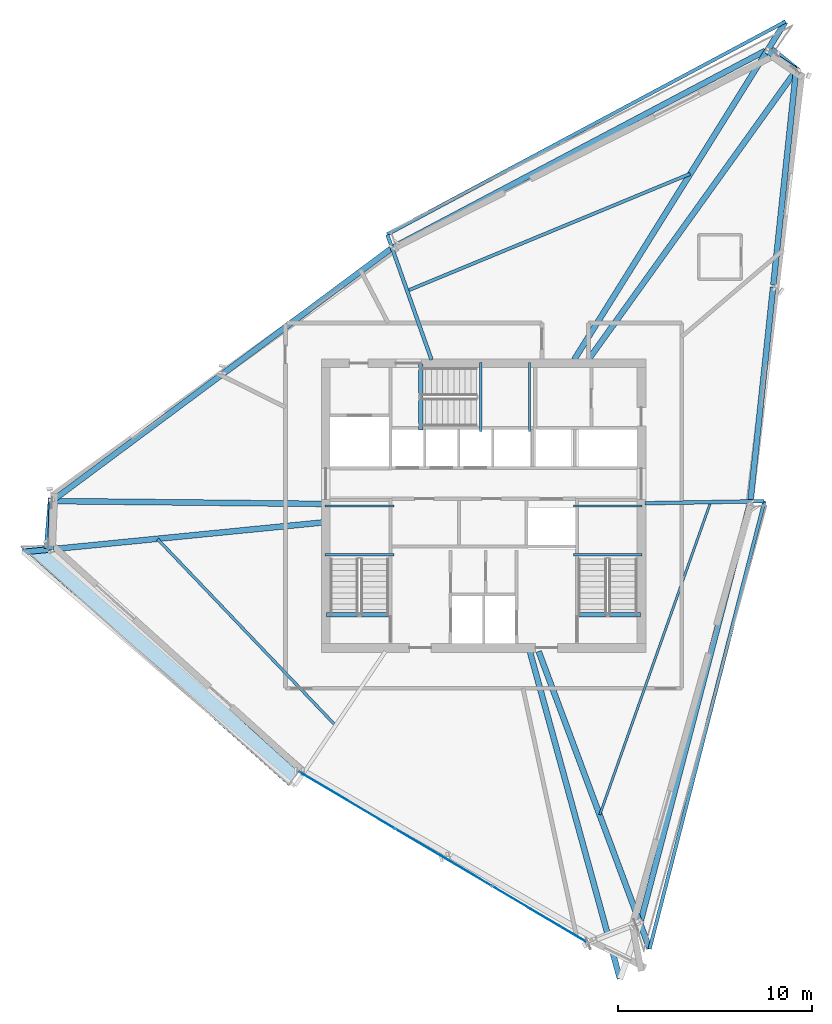
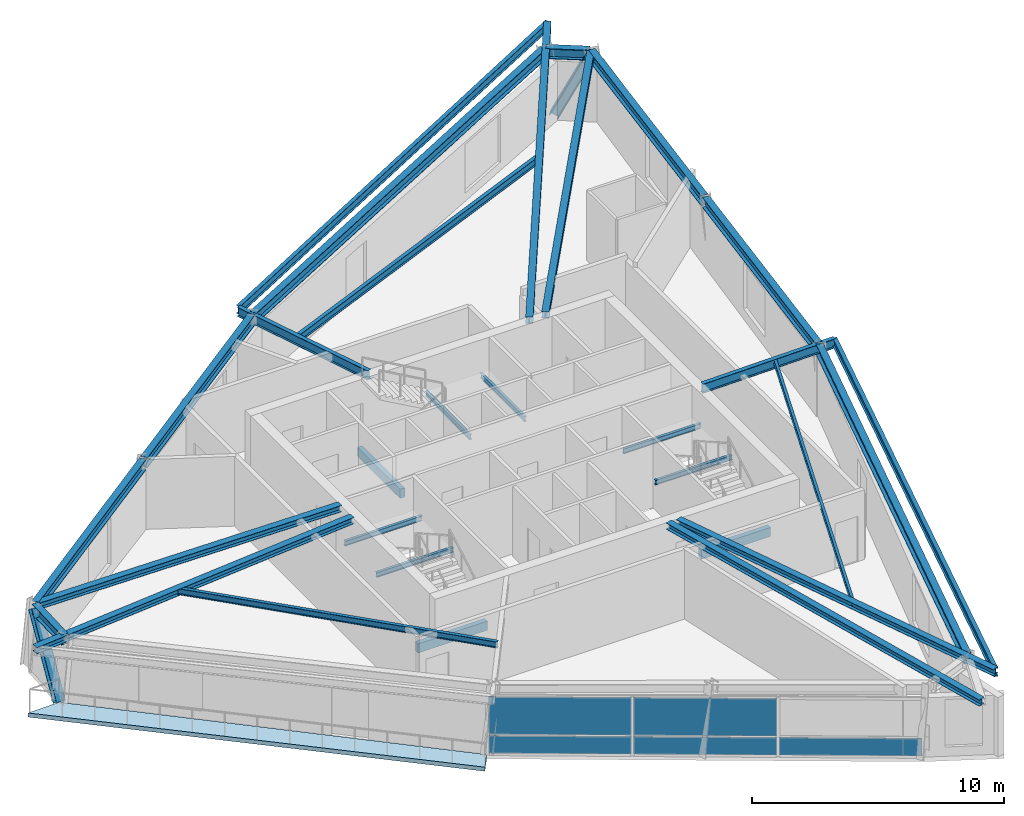
# One storey, part 5 of 14: 30 beams, 5 plates, 2 members, 1 slab, 1 element without a shape of its own.
"""IFC4 building model written with IfcOpenShell, lengths in metres."""

import ifcopenshell
import ifcopenshell.guid

model = None  # the IFC model being written
_history = None  # IfcOwnerHistory: only IFC2X3 demands one
_inside = {}  # id of a spatial element -> (the spatial element, [elements in it])
_under = {}  # id of a project, library or spatial element -> (it, [spatial elements below it])
_declared = {}  # id of a project -> (the project, [libraries it declares])
_typed = {}  # id of a type object -> (the type object, [elements of that type])
_made_of = {}  # id of a material, layer set ... -> (it, [elements and type objects made of it])


def new_model(schema):
    """Start an empty IFC model of exactly this schema.

    Asked for "IFC4X3", IfcOpenShell would pick the latest addendum, in which some entities
    have other attributes; the version numbers below select the first issue.
    IFC2X3 requires an IfcOwnerHistory on every rooted entity: one is made here for all.
    """
    global model, _history
    if schema == "IFC4X3":
        model = ifcopenshell.file(schema_version=(4, 3, 0, 0))
    else:
        model = ifcopenshell.file(schema=schema)
    _inside.clear()
    _under.clear()
    _declared.clear()
    _typed.clear()
    _made_of.clear()
    _history = None
    if model.schema == "IFC2X3":
        org = make("IfcOrganization", Name="unknown")
        user = make(
            "IfcPersonAndOrganization",
            ThePerson=make("IfcPerson", FamilyName="unknown"),
            TheOrganization=org,
        )
        app = make(
            "IfcApplication",
            ApplicationDeveloper=org,
            Version="unknown",
            ApplicationFullName="unknown",
            ApplicationIdentifier="unknown",
        )
        _history = make(
            "IfcOwnerHistory",
            OwningUser=user,
            OwningApplication=app,
            ChangeAction="ADDED",
            CreationDate=0,
        )
    return model


def make(cls, **values):
    """One entity of the class cls with the attributes given. An attribute that is None is left unset."""
    return model.create_entity(
        cls, **{name: value for name, value in values.items() if value is not None}
    )


def rooted(cls, **values):
    """An entity with a GlobalId (a new one), such as an element, a storey or a relation."""
    return make(cls, GlobalId=ifcopenshell.guid.new(), OwnerHistory=_history, **values)


def si_unit(unit_type, name, prefix=None):
    """IfcSIUnit, for example si_unit("LENGTHUNIT", "METRE", prefix="MILLI")."""
    return make("IfcSIUnit", UnitType=unit_type, Prefix=prefix, Name=name)


def assignment(units):
    """IfcUnitAssignment: the units of a project."""
    return None if units is None else make("IfcUnitAssignment", Units=units)


def point(xyz):
    """IfcCartesianPoint."""
    return None if xyz is None else make("IfcCartesianPoint", Coordinates=xyz)


def direction(xyz):
    """IfcDirection."""
    return None if xyz is None else make("IfcDirection", DirectionRatios=xyz)


def frame(location, z_axis=None, x_axis=None):
    """IfcAxis2Placement3D, a coordinate frame: its origin and axes. An axis left out is left unset."""
    return make(
        "IfcAxis2Placement3D",
        Location=point(location),
        Axis=direction(z_axis),
        RefDirection=direction(x_axis),
    )


def frame_2d(location, x_axis=None):
    """IfcAxis2Placement2D, a coordinate frame in the plane: its origin and x axis."""
    return make(
        "IfcAxis2Placement2D", Location=point(location), RefDirection=direction(x_axis)
    )


def origin():
    """The frame at (0, 0, 0) with its axes left unset."""
    return frame((0.0, 0.0, 0.0))


def origin_2d():
    """The frame at (0, 0) in the plane with its x axis left unset."""
    return frame_2d((0.0, 0.0))


def place(relative_to, where):
    """IfcLocalPlacement: puts the frame where relative to a parent placement (None: the world)."""
    return make(
        "IfcLocalPlacement", PlacementRelTo=relative_to, RelativePlacement=where
    )


def context(
    kind, dimensions, precision=None, world=None, true_north=None, identifier=None
):
    """IfcGeometricRepresentationContext, for example the 3D "Model" context."""
    return make(
        "IfcGeometricRepresentationContext",
        ContextIdentifier=identifier,
        ContextType=kind,
        CoordinateSpaceDimension=dimensions,
        Precision=precision,
        WorldCoordinateSystem=world,
        TrueNorth=true_north,
    )


def subcontext(parent, identifier, kind, view, scale=None):
    """IfcGeometricRepresentationSubContext, for example "Body" below "Model"."""
    return make(
        "IfcGeometricRepresentationSubContext",
        ContextIdentifier=identifier,
        ContextType=kind,
        ParentContext=parent,
        TargetScale=scale,
        TargetView=view,
    )


def project(units=None, contexts=None):
    """IfcProject with its units and contexts."""
    return rooted(
        "IfcProject",
        Name="project",
        RepresentationContexts=contexts,
        UnitsInContext=assignment(units),
    )


def spatial(cls, under=None, at=None, **own):
    """A site, building, storey or space (cls), placed at a placement, below another one or the project."""
    s = rooted(cls, ObjectPlacement=at, **own)
    if under is not None:
        _under.setdefault(under.id(), (under, []))[1].append(s)
    return s


def polyline(points):
    """IfcPolyline through the points."""
    return make("IfcPolyline", Points=[point(p) for p in points])


def profile(cls, at=None, kind="AREA", **sizes):
    """A parametric profile (cls). Its sizes go by their IFC names, for example OverallWidth=200.0."""
    return make(cls, ProfileType=kind, Position=at, **sizes)


def rectangle(**sizes):
    """IfcRectangleProfileDef."""
    return profile("IfcRectangleProfileDef", **sizes)


def i_section(**sizes):
    """IfcIShapeProfileDef."""
    return profile("IfcIShapeProfileDef", **sizes)


def outline(outer, holes=None, kind="AREA"):
    """IfcArbitraryClosedProfileDef: a profile drawn as a closed curve; with holes, ...WithVoids."""
    if holes is None:
        return make("IfcArbitraryClosedProfileDef", ProfileType=kind, OuterCurve=outer)
    return make(
        "IfcArbitraryProfileDefWithVoids",
        ProfileType=kind,
        OuterCurve=outer,
        InnerCurves=holes,
    )


def extrude(swept, where, along, depth):
    """IfcExtrudedAreaSolid: the profile swept, set in the frame where, extruded along a direction by depth."""
    return make(
        "IfcExtrudedAreaSolid",
        SweptArea=swept,
        Position=where,
        ExtrudedDirection=direction(along),
        Depth=depth,
    )


def shape(context_of_items, identifier, shape_type, items):
    """IfcShapeRepresentation: the items that make up one representation, for example the "Body"."""
    return make(
        "IfcShapeRepresentation",
        ContextOfItems=context_of_items,
        RepresentationIdentifier=identifier,
        RepresentationType=shape_type,
        Items=items,
    )


def source(mapping_origin, context_of_items, identifier, shape_type, items):
    """IfcRepresentationMap: a shape defined once, which mapped items show again and again."""
    return make(
        "IfcRepresentationMap",
        MappingOrigin=mapping_origin,
        MappedRepresentation=shape(context_of_items, identifier, shape_type, items),
    )


def transform(
    local_origin,
    x_axis=None,
    y_axis=None,
    z_axis=None,
    scale=None,
    scale2=None,
    scale3=None,
    uniform=True,
):
    """IfcCartesianTransformationOperator3D, or its non-uniform kind. x_axis, y_axis, z_axis: its Axis1, 2, 3."""
    if uniform:
        return make(
            "IfcCartesianTransformationOperator3D",
            Axis1=direction(x_axis),
            Axis2=direction(y_axis),
            LocalOrigin=point(local_origin),
            Scale=scale,
            Axis3=direction(z_axis),
        )
    return make(
        "IfcCartesianTransformationOperator3DnonUniform",
        Axis1=direction(x_axis),
        Axis2=direction(y_axis),
        LocalOrigin=point(local_origin),
        Scale=scale,
        Axis3=direction(z_axis),
        Scale2=scale2,
        Scale3=scale3,
    )


def mapped(mapping_source, mapping_target):
    """IfcMappedItem: shows the shape of a source again, moved by a transform."""
    return make(
        "IfcMappedItem", MappingSource=mapping_source, MappingTarget=mapping_target
    )


def material(Name=None, Category=None):
    """IfcMaterial."""
    return make("IfcMaterial", Name=Name, Category=Category)


def layer(
    of_material, thickness, ventilated=None, Name=None, Category=None, Priority=None
):
    """IfcMaterialLayer: one layer of a wall or slab, of a material (None: an air gap)."""
    return make(
        "IfcMaterialLayer",
        Material=of_material,
        LayerThickness=thickness,
        IsVentilated=ventilated,
        Name=Name,
        Category=Category,
        Priority=Priority,
    )


def layer_set(layers, Name=None):
    """IfcMaterialLayerSet."""
    return make("IfcMaterialLayerSet", MaterialLayers=layers, LayerSetName=Name)


def material_profile(
    of_material, cross_section, Name=None, Category=None, Priority=None
):
    """IfcMaterialProfile: a cross section and its material."""
    return make(
        "IfcMaterialProfile",
        Name=Name,
        Material=of_material,
        Profile=cross_section,
        Priority=Priority,
        Category=Category,
    )


def profile_set(profiles, Name=None, composite=None):
    """IfcMaterialProfileSet."""
    return make(
        "IfcMaterialProfileSet",
        Name=Name,
        MaterialProfiles=profiles,
        CompositeProfile=composite,
    )


def made_of(thing, what):
    """Note that an element or type object is made of a material, layer set ...; save() writes the relation."""
    if what is not None:
        _made_of.setdefault(what.id(), (what, []))[1].append(thing)
    return thing


def type_object(cls, material=None, **own):
    """A type object (cls), such as IfcWallType, which elements share."""
    return made_of(rooted(cls, **own), material)


def element(
    cls,
    number,
    at=None,
    inside=None,
    cuts=None,
    type_object=None,
    material=None,
    context=None,
    identifier="Body",
    shape_type=None,
    held_by="IfcProductDefinitionShape",
    body=None,
    shapes=None,
    **own,
):
    """One element of the class cls, such as IfcWall. Its Tag is "e" and its number.

    at: its placement. inside: the storey or other place that contains it. cuts: it is an
    opening in that element (IfcRelVoidsElement). A single representation is given by context,
    identifier, shape_type and body (its items); several are given by shapes. held_by: the class
    of the entity that holds the representations. save() writes the other relations.
    """
    e = rooted(cls, Tag="e%d" % number, ObjectPlacement=at, **own)
    if body is not None:
        shapes = [shape(context, identifier, shape_type, body)]
    if shapes is not None:
        e.Representation = make(held_by, Representations=shapes)
    if inside is not None:
        _inside.setdefault(inside.id(), (inside, []))[1].append(e)
    if cuts is not None:
        rooted(
            "IfcRelVoidsElement", RelatingBuildingElement=cuts, RelatedOpeningElement=e
        )
    if type_object is not None:
        _typed.setdefault(type_object.id(), (type_object, []))[1].append(e)
    return made_of(e, material)


def aggregate(whole, parts):
    """IfcRelAggregates: a whole, such as a stair, and the parts it consists of."""
    return rooted("IfcRelAggregates", RelatingObject=whole, RelatedObjects=parts)


def save(model, path):
    """Write the relations noted so far, then the file.

    IfcRelAggregates (storeys below a building ...), IfcRelContainedInSpatialStructure (elements
    in a storey), IfcRelDefinesByType, IfcRelAssociatesMaterial and IfcRelDeclares: one each for
    every whole, place, type object, material and project.
    """
    for whole, parts in _under.values():
        aggregate(whole, parts)
    for where, things in _inside.values():
        rooted(
            "IfcRelContainedInSpatialStructure",
            RelatedElements=things,
            RelatingStructure=where,
        )
    for kind, things in _typed.values():
        rooted("IfcRelDefinesByType", RelatedObjects=things, RelatingType=kind)
    for what, things in _made_of.values():
        rooted("IfcRelAssociatesMaterial", RelatedObjects=things, RelatingMaterial=what)
    for by, libraries in _declared.values():
        rooted("IfcRelDeclares", RelatingContext=by, RelatedDefinitions=libraries)
    model.write(path)


model = new_model("IFC4")

# Units and contexts
model_context = context("Model", 3, precision=1e-05, world=origin(), true_north=direction((0.0, 1.0)))
body_context = subcontext(model_context, "Body", "Model", "MODEL_VIEW")
ifc_project = project(units=[si_unit("LENGTHUNIT", "METRE"), si_unit("AREAUNIT", "SQUARE_METRE"), si_unit("VOLUMEUNIT", "CUBIC_METRE"), si_unit("PLANEANGLEUNIT", "RADIAN"), si_unit("MASSUNIT", "GRAM", prefix="KILO")], contexts=[model_context])

# Site, building, storey
site_placement = place(None, origin())
site = spatial("IfcSite", under=ifc_project, at=site_placement, CompositionType="ELEMENT")
building_placement = place(site_placement, origin())
building = spatial("IfcBuilding", under=site, at=building_placement, Name="Olszyna Solenne Hotel", CompositionType="ELEMENT")
storey_placement = place(building_placement, frame((0.0, 0.0, 259.699951171875)))
storey = spatial("IfcBuildingStorey", under=building, at=storey_placement, Name="L69", CompositionType="ELEMENT", Elevation=259.699951171875)

# Beams
ifc_material_1 = material(Name="Steel S355J2", Category="steel")
ifc_material_profile_1 = material_profile(ifc_material_1, i_section(OverallWidth=0.300048828125, OverallDepth=0.5, WebThickness=0.014404296875, FlangeThickness=0.028076171875, at=origin_2d()), Name="HEB 500", Category="load-bearing")
ifc_profile_set_1 = profile_set([ifc_material_profile_1], Name="Steel S355J2")
beam_type_1 = type_object("IfcBeamType", Name="BM-S3", PredefinedType="BEAM", material=ifc_profile_set_1)
shared_shape_1 = source(origin(), body_context, "Body", "SweptSolid", [
    extrude(i_section(OverallWidth=0.300048828125, OverallDepth=0.5, WebThickness=0.014404296875, FlangeThickness=0.028076171875, at=origin_2d()), origin(), (0.0, 0.0, 1.0), 1.734130859375),
])
beam_1_placement = place(storey_placement, frame((54.03466796875, 49.030029296875, 3.130126953125), z_axis=(-0.828546602357, 0.559920108339, 0.0), x_axis=(-0.559920108339, -0.828546602357, 0.0)))
element("IfcBeam", 1, at=beam_1_placement, inside=storey, type_object=beam_type_1, Name="Perimeter spandrel beam BM-S3 B-L69-2026", PredefinedType="BEAM", context=body_context, shape_type="MappedRepresentation", body=[
    mapped(shared_shape_1, transform((0.0, 0.0, 0.0), x_axis=(1.0, 0.0, 0.0), y_axis=(0.0, 1.0, 0.0), z_axis=(0.0, 0.0, 1.0), scale=1.0)),
])
shared_shape_2 = source(origin(), body_context, "Body", "SweptSolid", [
    extrude(i_section(OverallWidth=0.300048828125, OverallDepth=0.5, WebThickness=0.014404296875, FlangeThickness=0.028076171875, at=origin_2d()), origin(), (0.0, 0.0, 1.0), 21.682373046875),
])
beam_2_placement = place(storey_placement, frame((52.4951171875, 50.006591796875, 3.130126953125), z_axis=(-0.88416723405, -0.467170528001, 0.0), x_axis=(0.467170528001, -0.88416723405, 0.0)))
element("IfcBeam", 2, at=beam_2_placement, inside=storey, type_object=beam_type_1, Name="Perimeter spandrel beam BM-S3 B-L69-2027", PredefinedType="BEAM", context=body_context, shape_type="MappedRepresentation", body=[
    mapped(shared_shape_2, transform((0.0, 0.0, 0.0), x_axis=(1.0, 0.0, 0.0), y_axis=(0.0, 1.0, 0.0), z_axis=(0.0, 0.0, 1.0), scale=1.0)),
])
shared_shape_3 = source(origin(), body_context, "Body", "SweptSolid", [
    extrude(i_section(OverallWidth=0.300048828125, OverallDepth=0.5, WebThickness=0.014404296875, FlangeThickness=0.028076171875, at=origin_2d()), origin(), (0.0, 0.0, 1.0), 10.78125),
])
beam_3_placement = place(storey_placement, frame((33.222900390625, 39.8134765625, 3.130126953125), z_axis=(-0.802217330956, -0.597032121342, 0.0), x_axis=(0.597032121342, -0.802217330956, 0.0)))
element("IfcBeam", 3, at=beam_3_placement, inside=storey, type_object=beam_type_1, Name="Perimeter spandrel beam BM-S3 B-L69-2028", PredefinedType="BEAM", context=body_context, shape_type="MappedRepresentation", body=[
    mapped(shared_shape_3, transform((0.0, 0.0, 0.0), x_axis=(1.0, 0.0, 0.0), y_axis=(0.0, 1.0, 0.0), z_axis=(0.0, 0.0, 1.0), scale=1.0)),
])
shared_shape_4 = source(origin(), body_context, "Body", "SweptSolid", [
    extrude(i_section(OverallWidth=0.300048828125, OverallDepth=0.5, WebThickness=0.014404296875, FlangeThickness=0.028076171875, at=origin_2d()), origin(), (0.0, 0.0, 1.0), 10.781494140625),
])
beam_4_placement = place(storey_placement, frame((24.477783203125, 33.30517578125, 3.130126953125), z_axis=(-0.802225402442, -0.597021275732, 0.0), x_axis=(0.597021275732, -0.802225402442, 0.0)))
element("IfcBeam", 4, at=beam_4_placement, inside=storey, type_object=beam_type_1, Name="Perimeter spandrel beam BM-S3 B-L69-2029", PredefinedType="BEAM", context=body_context, shape_type="MappedRepresentation", body=[
    mapped(shared_shape_4, transform((0.0, 0.0, 0.0), x_axis=(1.0, 0.0, 0.0), y_axis=(0.0, 1.0, 0.0), z_axis=(0.0, 0.0, 1.0), scale=1.0)),
])
shared_shape_5 = source(origin(), body_context, "Body", "SweptSolid", [
    extrude(i_section(OverallWidth=0.300048828125, OverallDepth=0.5, WebThickness=0.014404296875, FlangeThickness=0.028076171875, at=origin_2d()), origin(), (0.0, 0.0, 1.0), 2.449462890625),
])
beam_5_placement = place(storey_placement, frame((15.77880859375, 26.772705078125, 3.130126953125), z_axis=(-0.027808565312, -0.999613267066, 0.0), x_axis=(0.999613267066, -0.027808565312, 0.0)))
element("IfcBeam", 5, at=beam_5_placement, inside=storey, type_object=beam_type_1, Name="Perimeter spandrel beam BM-S3 B-L69-2030", PredefinedType="BEAM", context=body_context, shape_type="MappedRepresentation", body=[
    mapped(shared_shape_5, transform((0.0, 0.0, 0.0), x_axis=(1.0, 0.0, 0.0), y_axis=(0.0, 1.0, 0.0), z_axis=(0.0, 0.0, 1.0), scale=1.0)),
])
shared_shape_6 = source(origin(), body_context, "Body", "SweptSolid", [
    extrude(i_section(OverallWidth=0.300048828125, OverallDepth=0.5, WebThickness=0.014404296875, FlangeThickness=0.028076171875, at=origin_2d()), origin(), (0.0, 0.0, 1.0), 22.202392578125),
])
beam_6_placement = place(storey_placement, frame((46.100830078125, 5.259765625, 3.130126953125), z_axis=(0.252922762913, 0.967486473291, 0.0), x_axis=(-0.967486473291, 0.252922762913, 0.0)))
element("IfcBeam", 6, at=beam_6_placement, inside=storey, type_object=beam_type_1, Name="Perimeter spandrel beam BM-S3 B-L69-2035", PredefinedType="BEAM", context=body_context, shape_type="MappedRepresentation", body=[
    mapped(shared_shape_6, transform((0.0, 0.0, 0.0), x_axis=(1.0, 0.0, 0.0), y_axis=(0.0, 1.0, 0.0), z_axis=(0.0, 0.0, 1.0), scale=1.0)),
])
shared_shape_7 = source(origin(), body_context, "Body", "SweptSolid", [
    extrude(i_section(OverallWidth=0.300048828125, OverallDepth=0.5, WebThickness=0.014404296875, FlangeThickness=0.028076171875, at=origin_2d()), origin(), (0.0, 0.0, 1.0), 11.041259765625),
])
for number, where, z_axis, x_axis, name in (
    (7, (51.73779296875, 26.85791015625, 3.130126953125), (0.105406446305, 0.994429223765, 0.0), (-0.994429223765, 0.105406446305, 0.0), "Perimeter spandrel beam BM-S3 B-L69-2036"),
    (8, (52.914306640625, 37.95703125, 3.130126953125), (0.105384580207, 0.994431541261, 0.0), (-0.994431541261, 0.105384580207, 0.0), "Perimeter spandrel beam BM-S3 B-L69-2037"),
):
    element("IfcBeam", number, at=place(storey_placement, frame(where, z_axis=z_axis, x_axis=x_axis)), inside=storey, type_object=beam_type_1, Name=name, PredefinedType="BEAM", context=body_context, shape_type="MappedRepresentation", body=[
        mapped(shared_shape_7, transform((0.0, 0.0, 0.0), x_axis=(1.0, 0.0, 0.0), y_axis=(0.0, 1.0, 0.0), z_axis=(0.0, 0.0, 1.0), scale=1.0)),
    ])
ifc_material_profile_2 = material_profile(ifc_material_1, i_section(OverallWidth=0.300048828125, OverallDepth=0.31005859375, WebThickness=0.009033203125, FlangeThickness=0.015380859375, at=origin_2d()), Name="HEA 320", Category="load-bearing")
ifc_profile_set_2 = profile_set([ifc_material_profile_2], Name="Steel S355J2")
beam_type_2 = type_object("IfcBeamType", Name="BM-G3", PredefinedType="BEAM", material=ifc_profile_set_2)
shared_shape_8 = source(origin(), body_context, "Body", "SweptSolid", [
    extrude(i_section(OverallWidth=0.300048828125, OverallDepth=0.31005859375, WebThickness=0.009033203125, FlangeThickness=0.015380859375, at=origin_2d()), origin(), (0.0, 0.0, 1.0), 18.268310546875),
])
beam_7_placement = place(storey_placement, frame((54.04931640625, 48.94775390625, 3.22509765625), z_axis=(-0.58331712302, -0.812244503824, 0.0), x_axis=(0.812244503824, -0.58331712302, 0.0)))
element("IfcBeam", 9, at=beam_7_placement, inside=storey, type_object=beam_type_2, Name="Radial floor girder BM-G3 B-L69-2038", PredefinedType="BEAM", context=body_context, shape_type="MappedRepresentation", body=[
    mapped(shared_shape_8, transform((0.0, 0.0, 0.0), x_axis=(1.0, 0.0, 0.0), y_axis=(0.0, 1.0, 0.0), z_axis=(0.0, 0.0, 1.0), scale=1.0)),
])
shared_shape_9 = source(origin(), body_context, "Body", "SweptSolid", [
    extrude(i_section(OverallWidth=0.300048828125, OverallDepth=0.31005859375, WebThickness=0.009033203125, FlangeThickness=0.015380859375, at=origin_2d()), origin(), (0.0, 0.0, 1.0), 20.506591796875),
])
beam_8_placement = place(storey_placement, frame((53.52783203125, 51.497802734375, 3.22509765625), z_axis=(-0.52993579947, -0.84803776357, 0.0), x_axis=(0.84803776357, -0.52993579947, 0.0)))
element("IfcBeam", 10, at=beam_8_placement, inside=storey, type_object=beam_type_2, Name="Radial floor girder BM-G3 B-L69-2039", PredefinedType="BEAM", context=body_context, shape_type="MappedRepresentation", body=[
    mapped(shared_shape_9, transform((0.0, 0.0, 0.0), x_axis=(1.0, 0.0, 0.0), y_axis=(0.0, 1.0, 0.0), z_axis=(0.0, 0.0, 1.0), scale=1.0)),
])
ifc_material_profile_3 = material_profile(ifc_material_1, i_section(OverallWidth=0.18994140625, OverallDepth=0.449951171875, WebThickness=0.009521484375, FlangeThickness=0.0146484375, at=origin_2d()), Name="IPE 450", Category="load-bearing")
ifc_profile_set_3 = profile_set([ifc_material_profile_3], Name="Steel S355J2")
beam_type_3 = type_object("IfcBeamType", Name="BM-F4", PredefinedType="BEAM", material=ifc_profile_set_3)
shared_shape_10 = source(origin(), body_context, "Body", "SweptSolid", [
    extrude(i_section(OverallWidth=0.18994140625, OverallDepth=0.449951171875, WebThickness=0.009521484375, FlangeThickness=0.0146484375, at=origin_2d()), origin(), (0.0, 0.0, 1.0), 6.82763671875),
])
beam_9_placement = place(storey_placement, frame((33.047607421875, 40.54052734375, 3.155029296875), z_axis=(0.333115622269, -0.94288598579, 0.0), x_axis=(0.94288598579, 0.333115622269, 0.0)))
element("IfcBeam", 11, at=beam_9_placement, inside=storey, type_object=beam_type_3, Name="Radial floor girder BM-F4 B-L69-2040", PredefinedType="BEAM", context=body_context, shape_type="MappedRepresentation", body=[
    mapped(shared_shape_10, transform((0.0, 0.0, 0.0), x_axis=(1.0, 0.0, 0.0), y_axis=(0.0, 1.0, 0.0), z_axis=(0.0, 0.0, 1.0), scale=1.0)),
])
shared_shape_11 = source(origin(), body_context, "Body", "SweptSolid", [
    extrude(i_section(OverallWidth=0.300048828125, OverallDepth=0.31005859375, WebThickness=0.009033203125, FlangeThickness=0.015380859375, at=origin_2d()), origin(), (0.0, 0.0, 1.0), 13.860107421875),
])
beam_10_placement = place(storey_placement, frame((15.840576171875, 26.83203125, 3.22509765625), z_axis=(0.999945260598, -0.010463068715, 0.0), x_axis=(0.010463068715, 0.999945260598, 0.0)))
element("IfcBeam", 12, at=beam_10_placement, inside=storey, type_object=beam_type_2, Name="Radial floor girder BM-G3 B-L69-2041", PredefinedType="BEAM", context=body_context, shape_type="MappedRepresentation", body=[
    mapped(shared_shape_11, transform((0.0, 0.0, 0.0), x_axis=(1.0, 0.0, 0.0), y_axis=(0.0, 1.0, 0.0), z_axis=(0.0, 0.0, 1.0), scale=1.0)),
])
shared_shape_12 = source(origin(), body_context, "Body", "SweptSolid", [
    extrude(i_section(OverallWidth=0.300048828125, OverallDepth=0.31005859375, WebThickness=0.009033203125, FlangeThickness=0.015380859375, at=origin_2d()), origin(), (0.0, 0.0, 1.0), 15.49658203125),
])
beam_11_placement = place(storey_placement, frame((14.2783203125, 24.206298828125, 3.22509765625), z_axis=(0.995152875191, 0.098339996944, 0.0), x_axis=(-0.098339996944, 0.995152875191, 0.0)))
element("IfcBeam", 13, at=beam_11_placement, inside=storey, type_object=beam_type_2, Name="Radial floor girder BM-G3 B-L69-2042", PredefinedType="BEAM", context=body_context, shape_type="MappedRepresentation", body=[
    mapped(shared_shape_12, transform((0.0, 0.0, 0.0), x_axis=(1.0, 0.0, 0.0), y_axis=(0.0, 1.0, 0.0), z_axis=(0.0, 0.0, 1.0), scale=1.0)),
])
shared_shape_13 = source(origin(), body_context, "Body", "SweptSolid", [
    extrude(i_section(OverallWidth=0.300048828125, OverallDepth=0.31005859375, WebThickness=0.009033203125, FlangeThickness=0.015380859375, at=origin_2d()), origin(), (0.0, 0.0, 1.0), 17.47119140625),
])
beam_12_placement = place(storey_placement, frame((45.015380859375, 2.252197265625, 3.22509765625), z_axis=(-0.265250993792, 0.964179397359, 0.0), x_axis=(-0.964179397359, -0.265250993792, 0.0)))
element("IfcBeam", 14, at=beam_12_placement, inside=storey, type_object=beam_type_2, Name="Radial floor girder BM-G3 B-L69-2044", PredefinedType="BEAM", context=body_context, shape_type="MappedRepresentation", body=[
    mapped(shared_shape_13, transform((0.0, 0.0, 0.0), x_axis=(1.0, 0.0, 0.0), y_axis=(0.0, 1.0, 0.0), z_axis=(0.0, 0.0, 1.0), scale=1.0)),
])
shared_shape_14 = source(origin(), body_context, "Body", "SweptSolid", [
    extrude(i_section(OverallWidth=0.300048828125, OverallDepth=0.31005859375, WebThickness=0.009033203125, FlangeThickness=0.015380859375, at=origin_2d()), origin(), (0.0, 0.0, 1.0), 16.325439453125),
])
beam_13_placement = place(storey_placement, frame((46.5390625, 3.800048828125, 3.22509765625), z_axis=(-0.349384006933, 0.936979623951, 0.0), x_axis=(-0.936979623951, -0.349384006933, 0.0)))
element("IfcBeam", 15, at=beam_13_placement, inside=storey, type_object=beam_type_2, Name="Radial floor girder BM-G3 B-L69-2045", PredefinedType="BEAM", context=body_context, shape_type="MappedRepresentation", body=[
    mapped(shared_shape_14, transform((0.0, 0.0, 0.0), x_axis=(1.0, 0.0, 0.0), y_axis=(0.0, 1.0, 0.0), z_axis=(0.0, 0.0, 1.0), scale=1.0)),
])
shared_shape_15 = source(origin(), body_context, "Body", "SweptSolid", [
    extrude(i_section(OverallWidth=0.18994140625, OverallDepth=0.449951171875, WebThickness=0.009521484375, FlangeThickness=0.0146484375, at=origin_2d()), origin(), (0.0, 0.0, 1.0), 6.137939453125),
])
beam_14_placement = place(storey_placement, frame((52.43701171875, 26.827880859375, 3.155029296875), z_axis=(-0.999845443612, -0.01758092398, 0.0), x_axis=(0.01758092398, -0.999845443612, 0.0)))
element("IfcBeam", 16, at=beam_14_placement, inside=storey, type_object=beam_type_3, Name="Radial floor girder BM-F4 B-L69-2046", PredefinedType="BEAM", context=body_context, shape_type="MappedRepresentation", body=[
    mapped(shared_shape_15, transform((0.0, 0.0, 0.0), x_axis=(1.0, 0.0, 0.0), y_axis=(0.0, 1.0, 0.0), z_axis=(0.0, 0.0, 1.0), scale=1.0)),
])
ifc_material_profile_4 = material_profile(ifc_material_1, i_section(OverallWidth=0.169921875, OverallDepth=0.360107421875, WebThickness=0.008056640625, FlangeThickness=0.0126953125, at=origin_2d()), Name="IPE 360", Category="load-bearing")
ifc_profile_set_4 = profile_set([ifc_material_profile_4], Name="Steel S355J2")
beam_type_4 = type_object("IfcBeamType", Name="JS-01", PredefinedType="JOIST", material=ifc_profile_set_4)
shared_shape_16 = source(origin(), body_context, "Body", "SweptSolid", [
    extrude(i_section(OverallWidth=0.169921875, OverallDepth=0.360107421875, WebThickness=0.008056640625, FlangeThickness=0.0126953125, at=origin_2d()), origin(), (0.0, 0.0, 1.0), 15.733154296875),
])
beam_15_placement = place(storey_placement, frame((48.625, 43.673828125, 3.199951171875), z_axis=(-0.924105659666, -0.382137056269, 0.0), x_axis=(0.382137056269, -0.924105659666, 0.0)))
element("IfcBeam", 17, at=beam_15_placement, inside=storey, type_object=beam_type_4, Name="Secondary composite floor joist JS-01 B-L69-2048", PredefinedType="JOIST", context=body_context, shape_type="MappedRepresentation", body=[
    mapped(shared_shape_16, transform((0.0, 0.0, 0.0), x_axis=(1.0, 0.0, 0.0), y_axis=(0.0, 1.0, 0.0), z_axis=(0.0, 0.0, 1.0), scale=1.0)),
])
ifc_material_profile_5 = material_profile(ifc_material_1, i_section(OverallWidth=0.14990234375, OverallDepth=0.300048828125, WebThickness=0.007080078125, FlangeThickness=0.0107421875, at=origin_2d()), Name="IPE 300", Category="load-bearing")
ifc_profile_set_5 = profile_set([ifc_material_profile_5], Name="Steel S355J2")
beam_type_5 = type_object("IfcBeamType", Name="JS-02", PredefinedType="JOIST", material=ifc_profile_set_5)
shared_shape_17 = source(origin(), body_context, "Body", "SweptSolid", [
    extrude(i_section(OverallWidth=0.14990234375, OverallDepth=0.300048828125, WebThickness=0.007080078125, FlangeThickness=0.0107421875, at=origin_2d()), origin(), (0.0, 0.0, 1.0), 13.246337890625),
])
beam_16_placement = place(storey_placement, frame((21.220703125, 24.87646484375, 3.22998046875), z_axis=(0.690560343717, -0.723274782974, 0.0), x_axis=(0.723274782974, 0.690560343717, 0.0)))
element("IfcBeam", 18, at=beam_16_placement, inside=storey, type_object=beam_type_5, Name="Secondary composite floor joist JS-02 B-L69-2049", PredefinedType="JOIST", context=body_context, shape_type="MappedRepresentation", body=[
    mapped(shared_shape_17, transform((0.0, 0.0, 0.0), x_axis=(1.0, 0.0, 0.0), y_axis=(0.0, 1.0, 0.0), z_axis=(0.0, 0.0, 1.0), scale=1.0)),
])
ifc_material_profile_6 = material_profile(ifc_material_1, i_section(OverallWidth=0.1201171875, OverallDepth=0.239990234375, WebThickness=0.006103515625, FlangeThickness=0.009765625, at=origin_2d()), Name="IPE 240", Category="load-bearing")
ifc_profile_set_6 = profile_set([ifc_material_profile_6], Name="Steel S355J2")
beam_type_6 = type_object("IfcBeamType", Name="JS-03", PredefinedType="JOIST", material=ifc_profile_set_6)
shared_shape_18 = source(origin(), body_context, "Body", "SweptSolid", [
    extrude(i_section(OverallWidth=0.1201171875, OverallDepth=0.239990234375, WebThickness=0.006103515625, FlangeThickness=0.009765625, at=origin_2d()), origin(), (0.0, 0.0, 1.0), 17.04833984375),
])
beam_17_placement = place(storey_placement, frame((43.98291015625, 10.692138671875, 3.260009765625), z_axis=(0.334154631477, 0.942518266275, 0.0), x_axis=(-0.942518266275, 0.334154631477, 0.0)))
element("IfcBeam", 19, at=beam_17_placement, inside=storey, type_object=beam_type_6, Name="Secondary composite floor joist JS-03 B-L69-2050", PredefinedType="JOIST", context=body_context, shape_type="MappedRepresentation", body=[
    mapped(shared_shape_18, transform((0.0, 0.0, 0.0), x_axis=(1.0, 0.0, 0.0), y_axis=(0.0, 1.0, 0.0), z_axis=(0.0, 0.0, 1.0), scale=1.0)),
])
ifc_material_profile_7 = material_profile(ifc_material_1, i_section(OverallWidth=0.179931640625, OverallDepth=0.39990234375, WebThickness=0.008544921875, FlangeThickness=0.013427734375, at=origin_2d()), Name="IPE 400", Category="load-bearing")
ifc_profile_set_7 = profile_set([ifc_material_profile_7], Name="Steel S355J2")
beam_type_7 = type_object("IfcBeamType", Name="BM-F5", PredefinedType="BEAM", material=ifc_profile_set_7)
shared_shape_19 = source(origin(), body_context, "Body", "SweptSolid", [
    extrude(i_section(OverallWidth=0.179931640625, OverallDepth=0.39990234375, WebThickness=0.008544921875, FlangeThickness=0.013427734375, at=origin_2d()), origin(), (0.0, 0.0, 1.0), 23.241455078125),
])
beam_18_placement = place(storey_placement, frame((53.538330078125, 51.514892578125, 3.179931640625), z_axis=(-0.881929786349, -0.471380792937, 0.0), x_axis=(0.471380792937, -0.881929786349, 0.0)))
element("IfcBeam", 20, at=beam_18_placement, inside=storey, type_object=beam_type_7, Name="Loggia outer edge beam BM-F5 B-L69-2051", PredefinedType="BEAM", context=body_context, shape_type="MappedRepresentation", body=[
    mapped(shared_shape_19, transform((0.0, 0.0, 0.0), x_axis=(1.0, 0.0, 0.0), y_axis=(0.0, 1.0, 0.0), z_axis=(0.0, 0.0, 1.0), scale=1.0)),
])
shared_shape_20 = source(origin(), body_context, "Body", "SweptSolid", [
    extrude(i_section(OverallWidth=0.179931640625, OverallDepth=0.39990234375, WebThickness=0.008544921875, FlangeThickness=0.013427734375, at=origin_2d()), origin(), (0.0, 0.0, 1.0), 23.79296875),
])
beam_19_placement = place(storey_placement, frame((46.5458984375, 3.78125, 3.179931640625), z_axis=(0.248429414854, 0.968650001721, 0.0), x_axis=(-0.968650001721, 0.248429414854, 0.0)))
element("IfcBeam", 21, at=beam_19_placement, inside=storey, type_object=beam_type_7, Name="Loggia outer edge beam BM-F5 B-L69-2053", PredefinedType="BEAM", context=body_context, shape_type="MappedRepresentation", body=[
    mapped(shared_shape_20, transform((0.0, 0.0, 0.0), x_axis=(1.0, 0.0, 0.0), y_axis=(0.0, 1.0, 0.0), z_axis=(0.0, 0.0, 1.0), scale=1.0)),
])

# Members
ifc_material_2 = material(Name="Steel S460M", Category="steel")
ifc_material_profile_8 = material_profile(ifc_material_2, i_section(OverallWidth=0.40087890625, OverallDepth=0.39892578125, WebThickness=0.02197265625, FlangeThickness=0.034423828125, at=origin_2d()), Name="HD 400x314", Category="load-bearing")
ifc_profile_set_8 = profile_set([ifc_material_profile_8], Name="Steel S460M")
member_type = type_object("IfcMemberType", Name="BR-T3", PredefinedType="BRACE", material=ifc_profile_set_8)
shared_shape_21 = source(origin(), body_context, "Body", "SweptSolid", [
    extrude(i_section(OverallWidth=0.40087890625, OverallDepth=0.39892578125, WebThickness=0.02197265625, FlangeThickness=0.034423828125, at=origin_2d()), origin(), (0.0, 0.0, 1.0), 3.428466796875),
])
member_1_placement = place(storey_placement, frame((52.938232421875, 49.9248046875, 0.010009765625), z_axis=(0.33426811299, -0.270747201872, 0.902751782782), x_axis=(0.629407746836, 0.777075214006, 0.0)))
element("IfcMember", 22, at=member_1_placement, inside=storey, type_object=member_type, Name="Perimeter braced-tube diagonal BR-T3 BR-L69-1", PredefinedType="BRACE", context=body_context, shape_type="MappedRepresentation", body=[
    mapped(shared_shape_21, transform((0.0, 0.0, 0.0), x_axis=(1.0, 0.0, 0.0), y_axis=(0.0, 1.0, 0.0), z_axis=(0.0, 0.0, 1.0), scale=1.0)),
])
shared_shape_22 = source(origin(), body_context, "Body", "SweptSolid", [
    extrude(i_section(OverallWidth=0.40087890625, OverallDepth=0.39892578125, WebThickness=0.02197265625, FlangeThickness=0.034423828125, at=origin_2d()), origin(), (0.0, 0.0, 1.0), 3.85791015625),
])
member_2_placement = place(storey_placement, frame((15.58984375, 24.537353515625, 0.010009765625), z_axis=(0.049423065619, 0.594975240652, 0.802223051025), x_axis=(-0.996567653557, 0.082782316255, 0.0)))
element("IfcMember", 23, at=member_2_placement, inside=storey, type_object=member_type, Name="Perimeter braced-tube diagonal BR-T3 BR-L69-2", PredefinedType="BRACE", context=body_context, shape_type="MappedRepresentation", body=[
    mapped(shared_shape_22, transform((0.0, 0.0, 0.0), x_axis=(1.0, 0.0, 0.0), y_axis=(0.0, 1.0, 0.0), z_axis=(0.0, 0.0, 1.0), scale=1.0)),
])

# Beams
shared_shape_23 = source(origin(), body_context, "Body", "SweptSolid", [
    extrude(i_section(OverallWidth=0.1201171875, OverallDepth=0.239990234375, WebThickness=0.006103515625, FlangeThickness=0.009765625, at=origin_2d()), origin(), (0.0, 0.0, 1.0), 3.539794921875),
])
for number, where, z_axis, x_axis, name in (
    (24, (33.3798828125, 24.070068359375, 1.47509765625), (-1.0, 0.0, 0.0), (0.0, -1.0, 0.0), "Stair landing support beam JS-03 SLB-ST1-0143"),
    (25, (33.3798828125, 26.580078125, 1.47509765625), (-1.0, 0.0, 0.0), (0.0, -1.0, 0.0), "Stair landing support beam JS-03 SLB-ST1-0144"),
    (26, (46.159912109375, 24.070068359375, 1.47509765625), (-1.0, 0.0, 0.0), (0.0, -1.0, 0.0), "Stair landing support beam JS-03 SLB-ST2-0383"),
    (27, (46.159912109375, 26.580078125, 1.47509765625), (-1.0, 0.0, 0.0), (0.0, -1.0, 0.0), "Stair landing support beam JS-03 SLB-ST2-0384"),
):
    element("IfcBeam", number, at=place(storey_placement, frame(where, z_axis=z_axis, x_axis=x_axis)), inside=storey, type_object=beam_type_6, Name=name, PredefinedType="JOIST", context=body_context, shape_type="MappedRepresentation", body=[
        mapped(shared_shape_23, transform((0.0, 0.0, 0.0), x_axis=(1.0, 0.0, 0.0), y_axis=(0.0, 1.0, 0.0), z_axis=(0.0, 0.0, 1.0), scale=1.0)),
    ])
ifc_material_3 = material(Name="Concrete C50/60", Category="concrete")
ifc_material_profile_9 = material_profile(ifc_material_3, rectangle(XDim=0.219970703125, YDim=0.43994140625, at=origin_2d()), Name="RC 220x440", Category="load-bearing")
ifc_profile_set_9 = profile_set([ifc_material_profile_9], Name="Concrete C50/60")
beam_type_8 = type_object("IfcBeamType", Name="BM-ST1", PredefinedType="BEAM", material=ifc_profile_set_9)
shared_shape_24 = source(origin(), body_context, "Body", "SweptSolid", [
    extrude(rectangle(XDim=0.219970703125, YDim=0.43994140625, at=origin_2d()), origin(), (0.0, 0.0, 1.0), 3.18017578125),
])
for number, where, z_axis, x_axis, name in (
    (28, (33.10009765625, 20.97998046875, -0.204833984375), (-1.0, 0.0, 0.0), (0.0, -1.0, 0.0), "Concrete stair trimmer beam BM-ST1 SHB-ST1-0231"),
    (29, (46.080078125, 20.97998046875, -0.204833984375), (-1.0, 0.0, 0.0), (0.0, -1.0, 0.0), "Concrete stair trimmer beam BM-ST1 SHB-ST2-0471"),
):
    element("IfcBeam", number, at=place(storey_placement, frame(where, z_axis=z_axis, x_axis=x_axis)), inside=storey, type_object=beam_type_8, Name=name, PredefinedType="BEAM", context=body_context, shape_type="MappedRepresentation", body=[
        mapped(shared_shape_24, transform((0.0, 0.0, 0.0), x_axis=(1.0, 0.0, 0.0), y_axis=(0.0, 1.0, 0.0), z_axis=(0.0, 0.0, 1.0), scale=1.0)),
    ])
shared_shape_25 = source(origin(), body_context, "Body", "SweptSolid", [
    extrude(i_section(OverallWidth=0.1201171875, OverallDepth=0.239990234375, WebThickness=0.006103515625, FlangeThickness=0.009765625, at=origin_2d()), origin(), (0.0, 0.0, 1.0), 3.5400390625),
])
for number, where, z_axis, x_axis, name in (
    (30, (37.85009765625, 30.419921875, 1.47509765625), (0.0, 1.0, 0.0), (-1.0, 0.0, 0.0), "Stair landing support beam JS-03 SLB-ST3-0623"),
    (31, (40.360107421875, 30.419921875, 1.47509765625), (0.0, 1.0, 0.0), (-1.0, 0.0, 0.0), "Stair landing support beam JS-03 SLB-ST3-0624"),
):
    element("IfcBeam", number, at=place(storey_placement, frame(where, z_axis=z_axis, x_axis=x_axis)), inside=storey, type_object=beam_type_6, Name=name, PredefinedType="JOIST", context=body_context, shape_type="MappedRepresentation", body=[
        mapped(shared_shape_25, transform((0.0, 0.0, 0.0), x_axis=(1.0, 0.0, 0.0), y_axis=(0.0, 1.0, 0.0), z_axis=(0.0, 0.0, 1.0), scale=1.0)),
    ])
shared_shape_26 = source(origin(), body_context, "Body", "SweptSolid", [
    extrude(rectangle(XDim=0.219970703125, YDim=0.43994140625, at=origin_2d()), origin(), (0.0, 0.0, 1.0), 3.3798828125),
])
beam_20_placement = place(storey_placement, frame((34.760009765625, 30.5, -0.204833984375), z_axis=(0.0, 1.0, 0.0), x_axis=(-1.0, 0.0, 0.0)))
element("IfcBeam", 32, at=beam_20_placement, inside=storey, type_object=beam_type_8, Name="Concrete stair trimmer beam BM-ST1 SHB-ST3-0709", PredefinedType="BEAM", context=body_context, shape_type="MappedRepresentation", body=[
    mapped(shared_shape_26, transform((0.0, 0.0, 0.0), x_axis=(1.0, 0.0, 0.0), y_axis=(0.0, 1.0, 0.0), z_axis=(0.0, 0.0, 1.0), scale=1.0)),
])

# Slab
ifc_material_4 = material(Name="Precast concrete C45/55", Category="concrete")
ifc_layer = layer(ifc_material_4, 0.199951171875, Name="Precast concrete C45/55")
ifc_layer_set = layer_set([ifc_layer], Name="Precast concrete C45/55")
slab_type = type_object("IfcSlabType", Name="SL-LOG200", PredefinedType="FLOOR", material=ifc_layer_set)
slab_placement = place(storey_placement, frame((0.0, 0.0, -0.199951171875)))
element("IfcSlab", 33, at=slab_placement, inside=storey, type_object=slab_type, Name="Exterior loggia balcony slab SL-L69-LG2", PredefinedType="FLOOR", context=body_context, shape_type="SweptSolid", body=[
    extrude(outline(polyline([(28.46337890625, 12.904541015625), (28.462890625, 12.90478515625), (28.4619140625, 12.90576171875), (15.579833984375, 24.5263671875), (15.57861328125, 24.52734375), (15.577880859375, 24.5283203125), (15.576904296875, 24.529541015625), (15.576416015625, 24.531005859375), (15.57568359375, 24.5322265625), (15.5751953125, 24.53369140625), (15.574951171875, 24.53515625), (15.57470703125, 24.53662109375), (15.57470703125, 24.537109375), (14.138427734375, 24.500244140625), (27.965087890625, 12.1845703125), (28.46337890625, 12.904541015625)])), origin(), (0.0, 0.0, 1.0), 0.199951171875),
])

# Curtain wall, plates
ifc_material_5 = material(Name="Anodised bronze aluminium", Category="aluminium")
curtain_wall_type = type_object("IfcCurtainWallType", Name="CW-SYS-4", PredefinedType="NOTDEFINED", material=ifc_material_5)
curtain_wall_placement = place(storey_placement, origin())
curtain_wall = element("IfcCurtainWall", 34, at=curtain_wall_placement, inside=storey, type_object=curtain_wall_type, Name="Unitised curtain wall CW-SYS-4 CW-L69-01", PredefinedType="NOTDEFINED")
ifc_material_6 = material(Name="Terracotta cladding", Category="masonry")
plate_type_1 = type_object("IfcPlateType", Name="PN-SP1", PredefinedType="CURTAIN_PANEL", material=ifc_material_6)
shared_shape_27 = source(origin(), body_context, "Body", "SweptSolid", [
    extrude(rectangle(XDim=5.685546875, YDim=0.035888671875, at=origin_2d()), origin(), (0.0, 0.0, 1.0), 0.8525390625),
])
plate_1_placement = place(storey_placement, frame((30.973388671875, 11.434814453125, 0.06494140625), z_axis=(0.0, 0.0, 1.0), x_axis=(0.860347050618, -0.509708693758, 0.0)))
plate_1 = element("IfcPlate", 35, at=plate_1_placement, type_object=plate_type_1, Name="Curtain-wall panel PN-SP1 CP-L69-01-01", PredefinedType="CURTAIN_PANEL", context=body_context, shape_type="MappedRepresentation", body=[
    mapped(shared_shape_27, transform((0.0, 0.0, 0.0), x_axis=(1.0, 0.0, 0.0), y_axis=(0.0, 1.0, 0.0), z_axis=(0.0, 0.0, 1.0), scale=1.0)),
])
plate_2_placement = place(storey_placement, frame((40.896240234375, 5.55615234375, 0.06494140625), z_axis=(0.0, 0.0, 1.0), x_axis=(0.860347050618, -0.509708693758, 0.0)))
plate_2 = element("IfcPlate", 36, at=plate_2_placement, type_object=plate_type_1, Name="Curtain-wall panel PN-SP1 CP-L69-01-05", PredefinedType="CURTAIN_PANEL", context=body_context, shape_type="MappedRepresentation", body=[
    mapped(shared_shape_27, transform((0.0, 0.0, 0.0), x_axis=(1.0, 0.0, 0.0), y_axis=(0.0, 1.0, 0.0), z_axis=(0.0, 0.0, 1.0), scale=1.0)),
])
ifc_material_7 = material(Name="Low-E triple glazing", Category="glass")
plate_type_2 = type_object("IfcPlateType", Name="PN-GL1", PredefinedType="CURTAIN_PANEL", material=ifc_material_7)
shared_shape_28 = source(origin(), body_context, "Body", "SweptSolid", [
    extrude(rectangle(XDim=5.685546875, YDim=0.035888671875, at=origin_2d()), origin(), (0.0, 0.0, 1.0), 1.824462890625),
])
plate_3_placement = place(storey_placement, frame((30.973388671875, 11.434814453125, 0.982421875), z_axis=(0.0, 0.0, 1.0), x_axis=(0.860347050618, -0.509708693758, 0.0)))
plate_3 = element("IfcPlate", 37, at=plate_3_placement, type_object=plate_type_2, Name="Curtain-wall panel PN-GL1 CP-L69-01-02", PredefinedType="CURTAIN_PANEL", context=body_context, shape_type="MappedRepresentation", body=[
    mapped(shared_shape_28, transform((0.0, 0.0, 0.0), x_axis=(1.0, 0.0, 0.0), y_axis=(0.0, 1.0, 0.0), z_axis=(0.0, 0.0, 1.0), scale=1.0)),
])
shared_shape_29 = source(origin(), body_context, "Body", "SweptSolid", [
    extrude(rectangle(XDim=5.718017578125, YDim=0.035888671875, at=origin_2d()), origin(), (0.0, 0.0, 1.0), 0.8525390625),
])
plate_4_placement = place(storey_placement, frame((35.934814453125, 8.495361328125, 0.06494140625), z_axis=(0.0, 0.0, 1.0), x_axis=(0.860347050618, -0.509708693758, 0.0)))
plate_4 = element("IfcPlate", 38, at=plate_4_placement, type_object=plate_type_1, Name="Curtain-wall panel PN-SP1 CP-L69-01-03", PredefinedType="CURTAIN_PANEL", context=body_context, shape_type="MappedRepresentation", body=[
    mapped(shared_shape_29, transform((0.0, 0.0, 0.0), x_axis=(1.0, 0.0, 0.0), y_axis=(0.0, 1.0, 0.0), z_axis=(0.0, 0.0, 1.0), scale=1.0)),
])
shared_shape_30 = source(origin(), body_context, "Body", "SweptSolid", [
    extrude(rectangle(XDim=5.718017578125, YDim=0.035888671875, at=origin_2d()), origin(), (0.0, 0.0, 1.0), 1.824462890625),
])
plate_5_placement = place(storey_placement, frame((35.934814453125, 8.495361328125, 0.982421875), z_axis=(0.0, 0.0, 1.0), x_axis=(0.860347050618, -0.509708693758, 0.0)))
plate_5 = element("IfcPlate", 39, at=plate_5_placement, type_object=plate_type_2, Name="Curtain-wall panel PN-GL1 CP-L69-01-04", PredefinedType="CURTAIN_PANEL", context=body_context, shape_type="MappedRepresentation", body=[
    mapped(shared_shape_30, transform((0.0, 0.0, 0.0), x_axis=(1.0, 0.0, 0.0), y_axis=(0.0, 1.0, 0.0), z_axis=(0.0, 0.0, 1.0), scale=1.0)),
])
aggregate(curtain_wall, [plate_1, plate_3, plate_4, plate_5, plate_2])

save(model, "model.ifc")
